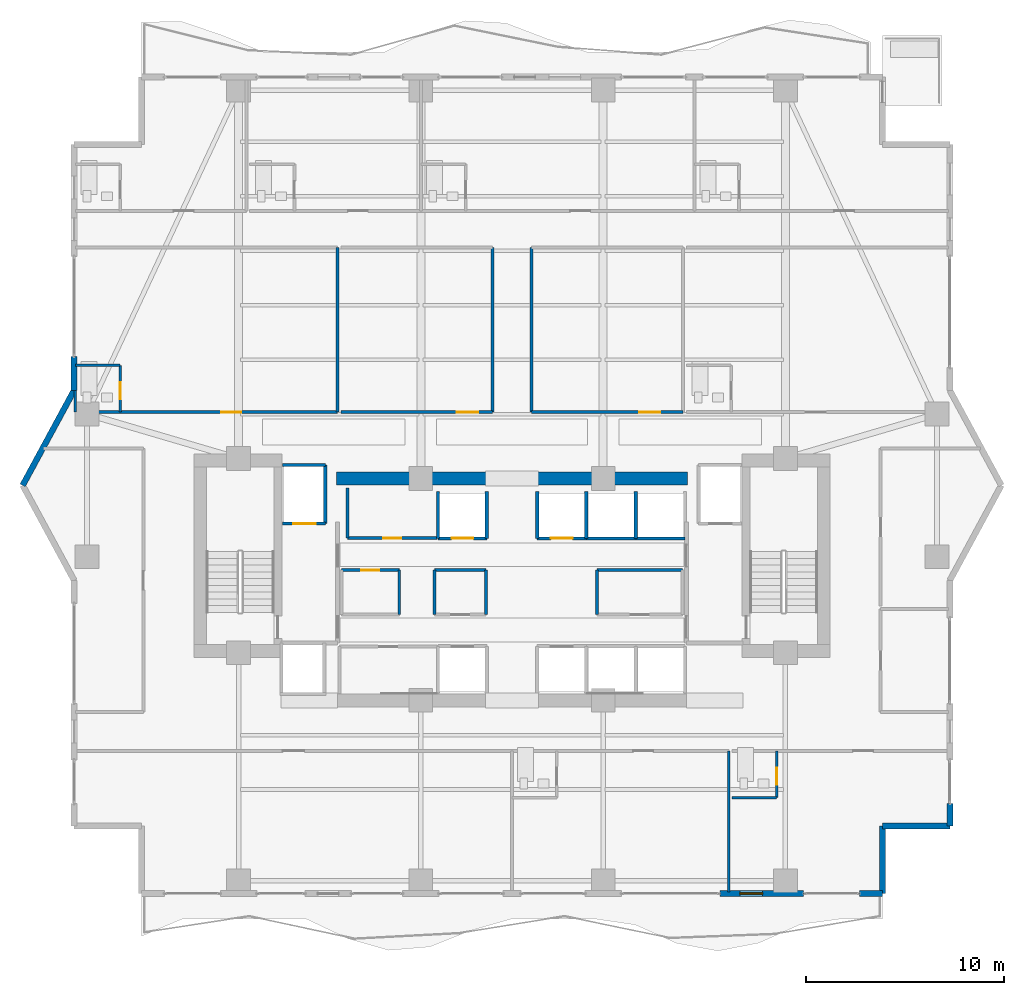
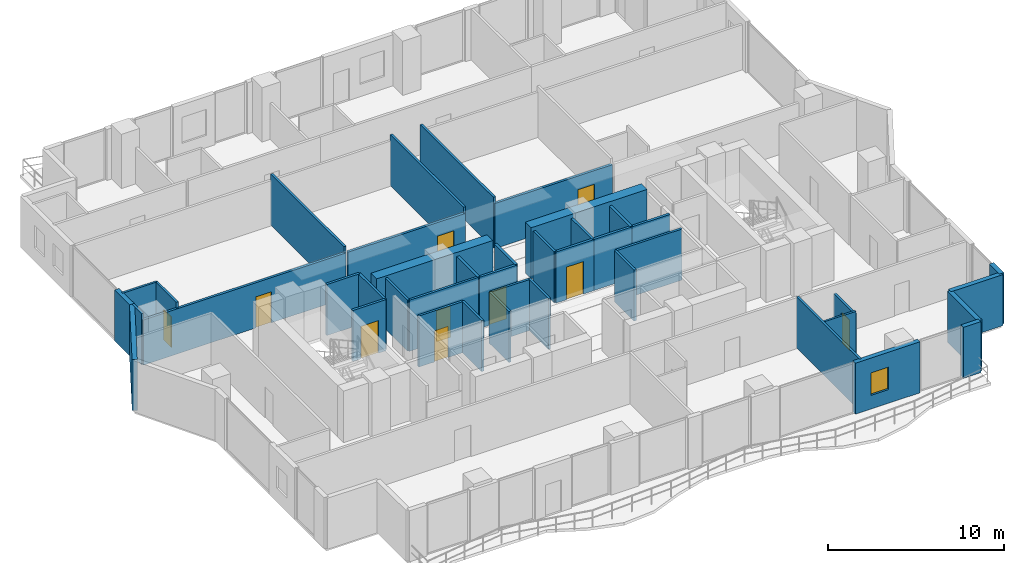
# One storey, part 26 of 33: 42 walls, 10 doors, 1 window, 11 openings.
"""IFC4 building model written with IfcOpenShell, lengths in metres."""

from ifc_helpers import new_model, si_unit, direction, frame, frame_2d, origin, place, context, subcontext, project, spatial, rectangle, extrude, material, layer, layer_set, type_object, element, fill, save


model = new_model("IFC4")

# Units and contexts
model_context = context("Model", 3, precision=1e-05, world=origin(), true_north=direction((0.0, 1.0)))
body_context = subcontext(model_context, "Body", "Model", "MODEL_VIEW")
ifc_project = project(units=[si_unit("LENGTHUNIT", "METRE"), si_unit("AREAUNIT", "SQUARE_METRE"), si_unit("VOLUMEUNIT", "CUBIC_METRE"), si_unit("PLANEANGLEUNIT", "RADIAN"), si_unit("MASSUNIT", "GRAM", prefix="KILO")], contexts=[model_context])

# Site, building, storey
site_placement = place(None, origin())
site = spatial("IfcSite", under=ifc_project, at=site_placement, CompositionType="ELEMENT")
building_placement = place(site_placement, origin())
building = spatial("IfcBuilding", under=site, at=building_placement, Name="Zuhayl Quay Hotel", CompositionType="ELEMENT")
storey_placement = place(building_placement, frame((0.0, 0.0, 211.14990234375)))
storey = spatial("IfcBuildingStorey", under=building, at=storey_placement, Name="L53", CompositionType="ELEMENT", Elevation=211.14990234375)

# Walls
ifc_material_1 = material(Name="Concrete C50/60", Category="concrete")
ifc_layer_1 = layer(ifc_material_1, 0.64990234375, Name="Concrete C50/60", Category="concrete")
ifc_layer_set_1 = layer_set([ifc_layer_1], Name="Concrete C50/60")
wall_type_1 = type_object("IfcWallType", Name="WL_CORE_650", PredefinedType="SHEAR", material=ifc_layer_set_1)
for number, where, z_axis, x_axis, name in (
    (1, (-8.85009765625, 13.35009765625, 0.0), (0.0, 0.0, 1.0), (1.0, 0.0, 0.0), "L53 Core Shear Wall CW_NC_W"),
    (2, (1.25, 13.35009765625, 0.0), (0.0, 0.0, 1.0), (1.0, 0.0, 0.0), "L53 Core Shear Wall CW_NC_E"),
):
    element("IfcWall", number, at=place(storey_placement, frame(where, z_axis=z_axis, x_axis=x_axis)), inside=storey, type_object=wall_type_1, Name=name, PredefinedType="SHEAR", context=body_context, shape_type="SweptSolid", body=[
        extrude(rectangle(XDim=7.60009765625, YDim=0.64990234375, at=frame_2d((3.800048828125, 0.0))), origin(), (0.0, 0.0, 1.0), 3.530029296875),
    ])
ifc_material_2 = material(Name="Precast concrete C45/55", Category="concrete")
ifc_layer_2 = layer(ifc_material_2, 0.300048828125, Name="Precast concrete C45/55", Category="concrete")
ifc_layer_set_2 = layer_set([ifc_layer_2], Name="Precast concrete C45/55")
wall_type_2 = type_object("IfcWallType", Name="WL_EXT_300", PredefinedType="STANDARD", material=ifc_layer_set_2)
wall_1_placement = place(storey_placement, frame((-24.699951171875, 13.0, 0.0), z_axis=(0.0, 0.0, 1.0), x_axis=(0.476258655584, 0.879305233114, 0.0)))
element("IfcWall", 3, at=wall_1_placement, inside=storey, type_object=wall_type_2, Name="L53 Exterior Precast Wall ENV_L53_EW04", PredefinedType="STANDARD", context=body_context, shape_type="SweptSolid", body=[
    extrude(rectangle(XDim=5.458984375, YDim=0.300048828125, at=frame_2d((2.7294921875, 0.0))), origin(), (0.0, 0.0, 1.0), 3.530029296875),
])
wall_2_placement = place(storey_placement, frame((-22.10009765625, 17.800048828125, 0.0), z_axis=(0.0, 0.0, 1.0), x_axis=(0.0, 1.0, 0.0)))
element("IfcWall", 4, at=wall_2_placement, inside=storey, type_object=wall_type_2, Name="L53 Exterior Precast Wall ENV_L53_E05_EW1", PredefinedType="STANDARD", context=body_context, shape_type="SweptSolid", body=[
    extrude(rectangle(XDim=1.7099609375, YDim=0.300048828125, at=frame_2d((0.85498046875, 0.0))), origin(), (0.0, 0.0, 1.0), 3.530029296875),
])
wall_3_placement = place(storey_placement, frame((22.10009765625, -3.050048828125, 0.0), z_axis=(0.0, 0.0, 1.0), x_axis=(0.0, -1.0, 0.0)))
element("IfcWall", 5, at=wall_3_placement, inside=storey, type_object=wall_type_2, Name="L53 Exterior Precast Wall ENV_L53_E14_EW3", PredefinedType="STANDARD", context=body_context, shape_type="SweptSolid", body=[
    extrude(rectangle(XDim=1.14990234375, YDim=0.300048828125, at=frame_2d((0.574951171875, 0.0))), origin(), (0.0, 0.0, 1.0), 3.530029296875),
])
for number, where, z_axis, x_axis, name in (
    (6, (22.10009765625, -4.199951171875, 0.0), (0.0, 0.0, 1.0), (-1.0, 0.0, 0.0), "L53 Exterior Precast Wall ENV_L53_EW15"),
    (7, (18.699951171875, -4.199951171875, 0.0), (0.0, 0.0, 1.0), (0.0, -1.0, 0.0), "L53 Exterior Precast Wall ENV_L53_EW16"),
):
    element("IfcWall", number, at=place(storey_placement, frame(where, z_axis=z_axis, x_axis=x_axis)), inside=storey, type_object=wall_type_2, Name=name, PredefinedType="STANDARD", context=body_context, shape_type="SweptSolid", body=[
        extrude(rectangle(XDim=3.400146484375, YDim=0.300048828125, at=frame_2d((1.7001953125, 0.0))), origin(), (0.0, 0.0, 1.0), 3.530029296875),
    ])
wall_4_placement = place(storey_placement, frame((18.699951171875, -7.60009765625, 0.0), z_axis=(0.0, 0.0, 1.0), x_axis=(-1.0, 0.0, 0.0)))
element("IfcWall", 8, at=wall_4_placement, inside=storey, type_object=wall_type_2, Name="L53 Exterior Precast Wall ENV_L53_S_EW1", PredefinedType="STANDARD", context=body_context, shape_type="SweptSolid", body=[
    extrude(rectangle(XDim=1.14990234375, YDim=0.300048828125, at=frame_2d((0.574951171875, 0.0))), origin(), (0.0, 0.0, 1.0), 3.530029296875),
])

# Wall, opening, window
wall_5_placement = place(storey_placement, frame((14.719970703125, -7.60009765625, 0.0), z_axis=(0.0, 0.0, 1.0), x_axis=(-1.0, 0.0, 0.0)))
wall_5 = element("IfcWall", 9, at=wall_5_placement, inside=storey, type_object=wall_type_2, Name="L53 Exterior Precast Wall ENV_L53_S_EW2", PredefinedType="STANDARD", context=body_context, shape_type="SweptSolid", body=[
    extrude(rectangle(XDim=4.22998046875, YDim=0.300048828125, at=frame_2d((2.114990234375, 0.0))), origin(), (0.0, 0.0, 1.0), 3.530029296875),
])
opening_1_placement = place(wall_5_placement, frame((2.06494140625, 0.0, 0.949951171875)))
opening_1 = element("IfcOpeningElement", 10, at=opening_1_placement, cuts=wall_5, Name="Opening W01N", PredefinedType="OPENING", context=body_context, shape_type="SweptSolid", body=[
    extrude(rectangle(XDim=1.14990234375, YDim=1.550048828125, at=frame_2d((0.574951171875, 0.77490234375))), frame((0.0, 0.159912109375, 0.0), z_axis=(0.0, -1.0, 0.0), x_axis=(1.0, 0.0, 0.0)), (0.0, 0.0, 1.0), 0.320068359375),
])
ifc_material_3 = material(Name="Dark Ceramic-Fritted Solar Glass", Category="glass")
window_type = type_object("IfcWindowType", Name="WN_NOTCH_1350", PartitioningType="SINGLE_PANEL", PredefinedType="WINDOW", material=ifc_material_3)
window_placement = place(opening_1_placement, origin())
window = element("IfcWindow", 11, at=window_placement, inside=storey, type_object=window_type, Name="L53 Operable Facade Window 2-1", OverallHeight=1.550048828125, OverallWidth=1.14990234375, PartitioningType="SINGLE_PANEL", PredefinedType="WINDOW", context=body_context, shape_type="SweptSolid", body=[
    extrude(rectangle(XDim=1.14990234375, YDim=1.550048828125, at=frame_2d((0.574951171875, 0.77490234375))), frame((0.0, 0.030029296875, 0.0), z_axis=(0.0, -1.0, 0.0), x_axis=(1.0, 0.0, 0.0)), (0.0, 0.0, 1.0), 0.06005859375),
])
fill(opening_1, window)

# Wall, opening, door
ifc_material_4 = material(Name="Acoustic Gypsum Partition STC-58")
ifc_layer_3 = layer(ifc_material_4, 0.14990234375, Name="Acoustic Gypsum Partition STC-58")
ifc_layer_set_3 = layer_set([ifc_layer_3], Name="Acoustic Gypsum Partition STC-58")
wall_type_3 = type_object("IfcWallType", Name="WL_PART_150", PredefinedType="PARTITIONING", material=ifc_layer_set_3)
wall_6_placement = place(storey_placement, frame((-8.31005859375, 10.340087890625, 0.0), z_axis=(0.0, 0.0, 1.0), x_axis=(1.0, 0.0, 0.0)))
wall_6 = element("IfcWall", 12, at=wall_6_placement, inside=storey, type_object=wall_type_3, Name="L53 Partition IW_L53_FLP_N_S", PredefinedType="PARTITIONING", context=body_context, shape_type="SweptSolid", body=[
    extrude(rectangle(XDim=4.52001953125, YDim=0.14990234375, at=frame_2d((2.260009765625, 0.0))), origin(), (0.0, 0.0, 1.0), 3.530029296875),
])
opening_2_placement = place(wall_6_placement, frame((1.81005859375, 0.0, 0.0)))
opening_2 = element("IfcOpeningElement", 13, at=opening_2_placement, cuts=wall_6, Name="Opening D06", PredefinedType="OPENING", context=body_context, shape_type="SweptSolid", body=[
    extrude(rectangle(XDim=0.89990234375, YDim=2.14990234375, at=frame_2d((0.449951171875, 1.074951171875))), frame((0.0, 0.0849609375, 0.0), z_axis=(0.0, -1.0, 0.0), x_axis=(1.0, 0.0, 0.0)), (0.0, 0.0, 1.0), 0.169921875),
])
ifc_material_5 = material(Name="Steel ASTM A992 Grade 50", Category="steel")
door_type_1 = type_object("IfcDoorType", Name="DR_INT_900", OperationType="NOTDEFINED", PredefinedType="DOOR", material=ifc_material_5)
door_1_placement = place(opening_2_placement, origin())
door_1 = element("IfcDoor", 14, at=door_1_placement, inside=storey, type_object=door_type_1, Name="L53 Valet Linen Store Door", OperationType="SINGLE_SWING_RIGHT", OverallHeight=2.14990234375, OverallWidth=0.89990234375, PredefinedType="DOOR", context=body_context, shape_type="SweptSolid", body=[
    extrude(rectangle(XDim=0.89990234375, YDim=2.14990234375, at=frame_2d((0.449951171875, 1.074951171875))), frame((0.0, 0.02490234375, 0.0), z_axis=(0.0, -1.0, 0.0), x_axis=(1.0, 0.0, 0.0)), (0.0, 0.0, 1.0), 0.050048828125),
])
fill(opening_2, door_1)

wall_7_placement = place(storey_placement, frame((-8.610107421875, 8.719970703125, 0.0), z_axis=(0.0, 0.0, 1.0), x_axis=(1.0, 0.0, 0.0)))
wall_7 = element("IfcWall", 15, at=wall_7_placement, inside=storey, type_object=wall_type_3, Name="L53 Partition IW_L53_CORE_HK_N", PredefinedType="PARTITIONING", context=body_context, shape_type="SweptSolid", body=[
    extrude(rectangle(XDim=2.920166015625, YDim=0.14990234375, at=frame_2d((1.4599609375, 0.0))), origin(), (0.0, 0.0, 1.0), 3.530029296875),
])
opening_3_placement = place(wall_7_placement, frame((1.010009765625, 0.0, 0.0)))
opening_3 = element("IfcOpeningElement", 16, at=opening_3_placement, cuts=wall_7, Name="Opening D06", PredefinedType="OPENING", context=body_context, shape_type="SweptSolid", body=[
    extrude(rectangle(XDim=0.89990234375, YDim=2.14990234375, at=frame_2d((0.449951171875, 1.074951171875))), frame((0.0, 0.0849609375, 0.0), z_axis=(0.0, -1.0, 0.0), x_axis=(1.0, 0.0, 0.0)), (0.0, 0.0, 1.0), 0.169921875),
])
door_2_placement = place(opening_3_placement, origin())
door_2 = element("IfcDoor", 17, at=door_2_placement, inside=storey, type_object=door_type_1, Name="L53 Core Housekeeping Store Door", OperationType="SINGLE_SWING_LEFT", OverallHeight=2.14990234375, OverallWidth=0.89990234375, PredefinedType="DOOR", context=body_context, shape_type="SweptSolid", body=[
    extrude(rectangle(XDim=0.89990234375, YDim=2.14990234375, at=frame_2d((0.449951171875, 1.074951171875))), frame((0.0, 0.02490234375, 0.0), z_axis=(0.0, -1.0, 0.0), x_axis=(1.0, 0.0, 0.0)), (0.0, 0.0, 1.0), 0.050048828125),
])
fill(opening_3, door_2)

# Walls
wall_8_placement = place(storey_placement, frame((-8.31005859375, 10.340087890625, 0.0), z_axis=(0.0, 0.0, 1.0), x_axis=(0.0, 1.0, 0.0)))
element("IfcWall", 18, at=wall_8_placement, inside=storey, type_object=wall_type_3, Name="L53 Partition IW_L53_FLP_N_W", PredefinedType="PARTITIONING", context=body_context, shape_type="SweptSolid", body=[
    extrude(rectangle(XDim=2.52001953125, YDim=0.14990234375, at=frame_2d((1.260009765625, 0.0))), origin(), (0.0, 0.0, 1.0), 3.530029296875),
])
wall_9_placement = place(storey_placement, frame((-5.68994140625, 6.47998046875, 0.0), z_axis=(0.0, 0.0, 1.0), x_axis=(0.0, 1.0, 0.0)))
element("IfcWall", 19, at=wall_9_placement, inside=storey, type_object=wall_type_3, Name="L53 Partition IW_L53_CORE_HK_E", PredefinedType="PARTITIONING", context=body_context, shape_type="SweptSolid", body=[
    extrude(rectangle(XDim=2.239990234375, YDim=0.14990234375, at=frame_2d((1.1201171875, 0.0))), origin(), (0.0, 0.0, 1.0), 3.530029296875),
])
wall_10_placement = place(storey_placement, frame((-3.909912109375, 8.719970703125, 0.0), z_axis=(0.0, 0.0, 1.0), x_axis=(1.0, 0.0, 0.0)))
element("IfcWall", 20, at=wall_10_placement, inside=storey, type_object=wall_type_3, Name="L53 Partition IW_L53_CORE_BC_N", PredefinedType="PARTITIONING", context=body_context, shape_type="SweptSolid", body=[
    extrude(rectangle(XDim=2.58984375, YDim=0.14990234375, at=frame_2d((1.294921875, 0.0))), origin(), (0.0, 0.0, 1.0), 3.530029296875),
])
for number, where, z_axis, x_axis, name in (
    (21, (-3.909912109375, 6.47998046875, 0.0), (0.0, 0.0, 1.0), (0.0, 1.0, 0.0), "L53 Partition IW_L53_CORE_BC_W"),
    (22, (-1.320068359375, 6.47998046875, 0.0), (0.0, 0.0, 1.0), (0.0, 1.0, 0.0), "L53 Partition IW_L53_CORE_BC_E"),
):
    element("IfcWall", number, at=place(storey_placement, frame(where, z_axis=z_axis, x_axis=x_axis)), inside=storey, type_object=wall_type_3, Name=name, PredefinedType="PARTITIONING", context=body_context, shape_type="SweptSolid", body=[
        extrude(rectangle(XDim=2.239990234375, YDim=0.14990234375, at=frame_2d((1.1201171875, 0.0))), origin(), (0.0, 0.0, 1.0), 3.530029296875),
    ])
wall_11_placement = place(storey_placement, frame((4.2900390625, 8.719970703125, 0.0), z_axis=(0.0, 0.0, 1.0), x_axis=(1.0, 0.0, 0.0)))
element("IfcWall", 23, at=wall_11_placement, inside=storey, type_object=wall_type_3, Name="L53 Partition IW_L53_CORE_VL_N", PredefinedType="PARTITIONING", context=body_context, shape_type="SweptSolid", body=[
    extrude(rectangle(XDim=4.320068359375, YDim=0.14990234375, at=frame_2d((2.16015625, 0.0))), origin(), (0.0, 0.0, 1.0), 3.530029296875),
])
wall_12_placement = place(storey_placement, frame((4.2900390625, 6.47998046875, 0.0), z_axis=(0.0, 0.0, 1.0), x_axis=(0.0, 1.0, 0.0)))
element("IfcWall", 24, at=wall_12_placement, inside=storey, type_object=wall_type_3, Name="L53 Partition IW_L53_CORE_VL_W", PredefinedType="PARTITIONING", context=body_context, shape_type="SweptSolid", body=[
    extrude(rectangle(XDim=2.239990234375, YDim=0.14990234375, at=frame_2d((1.1201171875, 0.0))), origin(), (0.0, 0.0, 1.0), 3.530029296875),
])
for number, where, z_axis, x_axis, name in (
    (25, (-8.800048828125, 16.699951171875, 0.0), (0.0, 0.0, 1.0), (0.0, 1.0, 0.0), "L53 Partition IW_L53_MU01_E"),
    (26, (-0.97998046875, 16.699951171875, 0.0), (0.0, 0.0, 1.0), (0.0, 1.0, 0.0), "L53 Partition IW_L53_Z3_MID_W_E"),
    (27, (0.97998046875, 16.699951171875, 0.0), (0.0, 0.0, 1.0), (0.0, 1.0, 0.0), "L53 Partition IW_L53_Z3_MID_E_W"),
):
    element("IfcWall", number, at=place(storey_placement, frame(where, z_axis=z_axis, x_axis=x_axis)), inside=storey, type_object=wall_type_3, Name=name, PredefinedType="PARTITIONING", context=body_context, shape_type="SweptSolid", body=[
        extrude(rectangle(XDim=8.300048828125, YDim=0.14990234375, at=frame_2d((4.14990234375, 0.0))), origin(), (0.0, 0.0, 1.0), 3.530029296875),
    ])
wall_13_placement = place(storey_placement, frame((10.93994140625, -7.52001953125, 0.0), z_axis=(0.0, 0.0, 1.0), x_axis=(0.0, 1.0, 0.0)))
element("IfcWall", 28, at=wall_13_placement, inside=storey, type_object=wall_type_3, Name="L53 Partition IW_L53_SU02A_E", PredefinedType="PARTITIONING", context=body_context, shape_type="SweptSolid", body=[
    extrude(rectangle(XDim=7.1201171875, YDim=0.14990234375, at=frame_2d((3.56005859375, 0.0))), origin(), (0.0, 0.0, 1.0), 3.530029296875),
])

# Wall, opening, door
ifc_layer_4 = layer(ifc_material_4, 0.159912109375, Name="Acoustic Gypsum Partition STC-58")
ifc_layer_set_4 = layer_set([ifc_layer_4], Name="Acoustic Gypsum Partition STC-58")
wall_type_4 = type_object("IfcWallType", Name="WL_PART_CORR_160", PredefinedType="PARTITIONING", material=ifc_layer_set_4)
wall_14_placement = place(storey_placement, frame((-22.0400390625, 16.699951171875, 0.0), z_axis=(0.0, 0.0, 1.0), x_axis=(1.0, 0.0, 0.0)))
wall_14 = element("IfcWall", 29, at=wall_14_placement, inside=storey, type_object=wall_type_4, Name="L53 Partition IW_L53_MU01_COR", PredefinedType="PARTITIONING", context=body_context, shape_type="SweptSolid", body=[
    extrude(rectangle(XDim=13.239990234375, YDim=0.159912109375, at=frame_2d((6.6201171875, 0.0))), origin(), (0.0, 0.0, 1.0), 3.1240234375),
])
opening_4_placement = place(wall_14_placement, frame((7.364990234375, 0.0, 0.0)))
opening_4 = element("IfcOpeningElement", 30, at=opening_4_placement, cuts=wall_14, Name="Opening D03L", PredefinedType="OPENING", context=body_context, shape_type="SweptSolid", body=[
    extrude(rectangle(XDim=1.0, YDim=2.14990234375, at=frame_2d((0.5, 1.074951171875))), frame((0.0, 0.08984375, 0.0), z_axis=(0.0, -1.0, 0.0), x_axis=(1.0, 0.0, 0.0)), (0.0, 0.0, 1.0), 0.179931640625),
])
ifc_material_6 = material(Name="Solid Walnut Acoustic Fire Door")
door_type_2 = type_object("IfcDoorType", Name="DR_SUITE_1000", OperationType="NOTDEFINED", PredefinedType="DOOR", material=ifc_material_6)
door_3_placement = place(opening_4_placement, origin())
door_3 = element("IfcDoor", 31, at=door_3_placement, inside=storey, type_object=door_type_2, Name="L53 Club Junior Suite L53-M1 Entrance Door", OperationType="SINGLE_SWING_LEFT", OverallHeight=2.14990234375, OverallWidth=1.0, PredefinedType="DOOR", context=body_context, shape_type="SweptSolid", body=[
    extrude(rectangle(XDim=1.0, YDim=2.14990234375, at=frame_2d((0.5, 1.074951171875))), frame((0.0, 0.02490234375, 0.0), z_axis=(0.0, -1.0, 0.0), x_axis=(1.0, 0.0, 0.0)), (0.0, 0.0, 1.0), 0.050048828125),
])
fill(opening_4, door_3)

wall_15_placement = place(storey_placement, frame((-8.639892578125, 16.699951171875, 0.0), z_axis=(0.0, 0.0, 1.0), x_axis=(1.0, 0.0, 0.0)))
wall_15 = element("IfcWall", 32, at=wall_15_placement, inside=storey, type_object=wall_type_4, Name="L53 Partition IW_L53_Z3_MID_W_S", PredefinedType="PARTITIONING", context=body_context, shape_type="SweptSolid", body=[
    extrude(rectangle(XDim=7.659912109375, YDim=0.159912109375, at=frame_2d((3.830078125, 0.0))), origin(), (0.0, 0.0, 1.0), 3.1240234375),
])
opening_5_placement = place(wall_15_placement, frame((5.85009765625, 0.0, 0.0)))
opening_5 = element("IfcOpeningElement", 33, at=opening_5_placement, cuts=wall_15, Name="Opening D05A", PredefinedType="OPENING", context=body_context, shape_type="SweptSolid", body=[
    extrude(rectangle(XDim=1.080078125, YDim=2.179931640625, at=frame_2d((0.5400390625, 1.08984375))), frame((0.0, 0.08984375, 0.0), z_axis=(0.0, -1.0, 0.0), x_axis=(1.0, 0.0, 0.0)), (0.0, 0.0, 1.0), 0.179931640625),
])
door_type_3 = type_object("IfcDoorType", Name="DR_INT_1100", OperationType="NOTDEFINED", PredefinedType="DOOR", material=ifc_material_6)
door_4_placement = place(opening_5_placement, origin())
door_4 = element("IfcDoor", 34, at=door_4_placement, inside=storey, type_object=door_type_3, Name="L53 Curated Art Library Door", OperationType="SINGLE_SWING_RIGHT", OverallHeight=2.179931640625, OverallWidth=1.080078125, PredefinedType="DOOR", context=body_context, shape_type="SweptSolid", body=[
    extrude(rectangle(XDim=1.080078125, YDim=2.179931640625, at=frame_2d((0.5400390625, 1.08984375))), frame((0.0, 0.02490234375, 0.0), z_axis=(0.0, -1.0, 0.0), x_axis=(1.0, 0.0, 0.0)), (0.0, 0.0, 1.0), 0.050048828125),
])
fill(opening_5, door_4)

wall_16_placement = place(storey_placement, frame((0.97998046875, 16.699951171875, 0.0), z_axis=(0.0, 0.0, 1.0), x_axis=(1.0, 0.0, 0.0)))
wall_16 = element("IfcWall", 35, at=wall_16_placement, inside=storey, type_object=wall_type_4, Name="L53 Partition IW_L53_Z3_MID_E_S", PredefinedType="PARTITIONING", context=body_context, shape_type="SweptSolid", body=[
    extrude(rectangle(XDim=7.659912109375, YDim=0.159912109375, at=frame_2d((3.830078125, 0.0))), origin(), (0.0, 0.0, 1.0), 3.1240234375),
])
opening_6_placement = place(wall_16_placement, frame((5.429931640625, 0.0, 0.0)))
opening_6 = element("IfcOpeningElement", 36, at=opening_6_placement, cuts=wall_16, Name="Opening D05A", PredefinedType="OPENING", context=body_context, shape_type="SweptSolid", body=[
    extrude(rectangle(XDim=1.080078125, YDim=2.179931640625, at=frame_2d((0.5400390625, 1.08984375))), frame((0.0, 0.08984375, 0.0), z_axis=(0.0, -1.0, 0.0), x_axis=(1.0, 0.0, 0.0)), (0.0, 0.0, 1.0), 0.179931640625),
])
door_5_placement = place(opening_6_placement, origin())
door_5 = element("IfcDoor", 37, at=door_5_placement, inside=storey, type_object=door_type_3, Name="L53 Horizon Screening Salon Door", OperationType="SINGLE_SWING_LEFT", OverallHeight=2.179931640625, OverallWidth=1.080078125, PredefinedType="DOOR", context=body_context, shape_type="SweptSolid", body=[
    extrude(rectangle(XDim=1.080078125, YDim=2.179931640625, at=frame_2d((0.5400390625, 1.08984375))), frame((0.0, 0.02490234375, 0.0), z_axis=(0.0, -1.0, 0.0), x_axis=(1.0, 0.0, 0.0)), (0.0, 0.0, 1.0), 0.050048828125),
])
fill(opening_6, door_5)

ifc_material_7 = material(Name="Moisture-Resistant Sanitarychase Gypsum")
ifc_layer_5 = layer(ifc_material_7, 0.135009765625, Name="Moisture-Resistant Sanitarychase Gypsum")
ifc_layer_set_5 = layer_set([ifc_layer_5], Name="Moisture-Resistant Sanitarychase Gypsum")
wall_type_5 = type_object("IfcWallType", Name="WL_PART_PLUMB_150", PredefinedType="PLUMBINGWALL", material=ifc_layer_set_5)
wall_17_placement = place(storey_placement, frame((-19.780029296875, 16.699951171875, 0.0), z_axis=(0.0, 0.0, 1.0), x_axis=(0.0, 1.0, 0.0)))
wall_17 = element("IfcWall", 38, at=wall_17_placement, inside=storey, type_object=wall_type_5, Name="L53 Partition IW_L53_MU01_BE", PredefinedType="PLUMBINGWALL", context=body_context, shape_type="SweptSolid", body=[
    extrude(rectangle(XDim=2.360107421875, YDim=0.135009765625, at=frame_2d((1.18017578125, 0.0))), origin(), (0.0, 0.0, 1.0), 3.530029296875),
])
opening_7_placement = place(wall_17_placement, frame((0.64990234375, 0.0, 0.0)))
opening_7 = element("IfcOpeningElement", 39, at=opening_7_placement, cuts=wall_17, Name="Opening D04", PredefinedType="OPENING", context=body_context, shape_type="SweptSolid", body=[
    extrude(rectangle(XDim=0.85009765625, YDim=2.10009765625, at=frame_2d((0.425048828125, 1.050048828125))), frame((0.0, 0.077392578125, 0.0), z_axis=(0.0, -1.0, 0.0), x_axis=(1.0, 0.0, 0.0)), (0.0, 0.0, 1.0), 0.155029296875),
])
ifc_material_8 = material(Name="Moisture-Resistant Walnut Veneer")
door_type_4 = type_object("IfcDoorType", Name="DR_BATH_850", OperationType="NOTDEFINED", PredefinedType="DOOR", material=ifc_material_8)
door_6_placement = place(opening_7_placement, origin())
door_6 = element("IfcDoor", 40, at=door_6_placement, inside=storey, type_object=door_type_4, Name="L53 Club Junior Suite L53-M1 En-Suite Door", OperationType="SINGLE_SWING_RIGHT", OverallHeight=2.10009765625, OverallWidth=0.85009765625, PredefinedType="DOOR", context=body_context, shape_type="SweptSolid", body=[
    extrude(rectangle(XDim=0.85009765625, YDim=2.10009765625, at=frame_2d((0.425048828125, 1.050048828125))), frame((0.0, 0.02490234375, 0.0), z_axis=(0.0, -1.0, 0.0), x_axis=(1.0, 0.0, 0.0)), (0.0, 0.0, 1.0), 0.050048828125),
])
fill(opening_7, door_6)

wall_18_placement = place(storey_placement, frame((13.360107421875, -2.760009765625, 0.0), z_axis=(0.0, 0.0, 1.0), x_axis=(0.0, 1.0, 0.0)))
wall_18 = element("IfcWall", 41, at=wall_18_placement, inside=storey, type_object=wall_type_5, Name="L53 Partition IW_L53_SU02B_BE", PredefinedType="PLUMBINGWALL", context=body_context, shape_type="SweptSolid", body=[
    extrude(rectangle(XDim=2.360107421875, YDim=0.135009765625, at=frame_2d((1.18017578125, 0.0))), origin(), (0.0, 0.0, 1.0), 2.923095703125),
])
opening_8_placement = place(wall_18_placement, frame((0.64990234375, 0.0, 0.0)))
opening_8 = element("IfcOpeningElement", 42, at=opening_8_placement, cuts=wall_18, Name="Opening D04", PredefinedType="OPENING", context=body_context, shape_type="SweptSolid", body=[
    extrude(rectangle(XDim=0.85009765625, YDim=2.10009765625, at=frame_2d((0.425048828125, 1.050048828125))), frame((0.0, 0.077392578125, 0.0), z_axis=(0.0, -1.0, 0.0), x_axis=(1.0, 0.0, 0.0)), (0.0, 0.0, 1.0), 0.155029296875),
])
door_7_placement = place(opening_8_placement, origin())
door_7 = element("IfcDoor", 43, at=door_7_placement, inside=storey, type_object=door_type_4, Name="L53 City-View Junior Suite L53-02B En-Suite Door", OperationType="SINGLE_SWING_LEFT", OverallHeight=2.10009765625, OverallWidth=0.85009765625, PredefinedType="DOOR", context=body_context, shape_type="SweptSolid", body=[
    extrude(rectangle(XDim=0.85009765625, YDim=2.10009765625, at=frame_2d((0.425048828125, 1.050048828125))), frame((0.0, 0.02490234375, 0.0), z_axis=(0.0, -1.0, 0.0), x_axis=(1.0, 0.0, 0.0)), (0.0, 0.0, 1.0), 0.050048828125),
])
fill(opening_8, door_7)

# Walls
wall_19_placement = place(storey_placement, frame((-22.0400390625, 19.06005859375, 0.0), z_axis=(0.0, 0.0, 1.0), x_axis=(1.0, 0.0, 0.0)))
element("IfcWall", 44, at=wall_19_placement, inside=storey, type_object=wall_type_5, Name="L53 Partition IW_L53_MU01_BN", PredefinedType="PLUMBINGWALL", context=body_context, shape_type="SweptSolid", body=[
    extrude(rectangle(XDim=2.260009765625, YDim=0.135009765625, at=frame_2d((1.1298828125, 0.0))), origin(), (0.0, 0.0, 1.0), 3.530029296875),
])
wall_20_placement = place(storey_placement, frame((-22.0400390625, 16.699951171875, 0.0), z_axis=(0.0, 0.0, 1.0), x_axis=(0.0, 1.0, 0.0)))
element("IfcWall", 45, at=wall_20_placement, inside=storey, type_object=wall_type_5, Name="L53 Partition IW_L53_MU01_BW", PredefinedType="PLUMBINGWALL", context=body_context, shape_type="SweptSolid", body=[
    extrude(rectangle(XDim=1.10009765625, YDim=0.135009765625, at=frame_2d((0.550048828125, 0.0))), origin(), (0.0, 0.0, 1.0), 3.530029296875),
])
wall_21_placement = place(storey_placement, frame((11.10009765625, -2.760009765625, 0.0), z_axis=(0.0, 0.0, 1.0), x_axis=(1.0, 0.0, 0.0)))
element("IfcWall", 46, at=wall_21_placement, inside=storey, type_object=wall_type_5, Name="L53 Partition IW_L53_SU02B_BS", PredefinedType="PLUMBINGWALL", context=body_context, shape_type="SweptSolid", body=[
    extrude(rectangle(XDim=2.260009765625, YDim=0.135009765625, at=frame_2d((1.1298828125, 0.0))), origin(), (0.0, 0.0, 1.0), 3.1240234375),
])

# Wall, opening, door
ifc_material_9 = material(Name="Gypsum Fireboard Assembly EI-90")
ifc_layer_6 = layer(ifc_material_9, 0.1650390625, Name="Gypsum Fireboard Assembly EI-90")
ifc_layer_set_6 = layer_set([ifc_layer_6], Name="Gypsum Fireboard Assembly EI-90")
wall_type_6 = type_object("IfcWallType", Name="WL_PART_SHAFT_160", PredefinedType="PARTITIONING", material=ifc_layer_set_6)
wall_22_placement = place(storey_placement, frame((-11.580078125, 11.070068359375, 0.0), z_axis=(0.0, 0.0, 1.0), x_axis=(1.0, 0.0, 0.0)))
wall_22 = element("IfcWall", 47, at=wall_22_placement, inside=storey, type_object=wall_type_6, Name="L53 Partition IW_L53_SH_FL1_F", PredefinedType="PARTITIONING", context=body_context, shape_type="SweptSolid", body=[
    extrude(rectangle(XDim=2.16015625, YDim=0.1650390625, at=frame_2d((1.080078125, 0.0))), origin(), (0.0, 0.0, 1.0), 3.530029296875),
])
opening_9_placement = place(wall_22_placement, frame((0.530029296875, 0.0, 0.0)))
opening_9 = element("IfcOpeningElement", 48, at=opening_9_placement, cuts=wall_22, Name="Opening LD2", PredefinedType="OPENING", context=body_context, shape_type="SweptSolid", body=[
    extrude(rectangle(XDim=1.14990234375, YDim=2.25, at=frame_2d((0.574951171875, 1.125))), frame((0.0, 0.092529296875, 0.0), z_axis=(0.0, -1.0, 0.0), x_axis=(1.0, 0.0, 0.0)), (0.0, 0.0, 1.0), 0.18505859375),
])
ifc_material_10 = material(Name="Brushed Stainless Steel", Category="steel")
door_type_5 = type_object("IfcDoorType", Name="DR_LIFT_FF_1100", OperationType="SLIDING_TO_LEFT", PredefinedType="DOOR", material=ifc_material_10)
door_8_placement = place(opening_9_placement, origin())
door_8 = element("IfcDoor", 49, at=door_8_placement, inside=storey, type_object=door_type_5, Name="L53 Lift FL1 Sliding Landing Door", OperationType="SLIDING_TO_LEFT", OverallHeight=2.25, OverallWidth=1.14990234375, PredefinedType="DOOR", context=body_context, shape_type="SweptSolid", body=[
    extrude(rectangle(XDim=1.14990234375, YDim=2.25, at=frame_2d((0.574951171875, 1.125))), frame((0.0, 0.02490234375, 0.0), z_axis=(0.0, -1.0, 0.0), x_axis=(1.0, 0.0, 0.0)), (0.0, 0.0, 1.0), 0.050048828125),
])
fill(opening_9, door_8)

wall_23_placement = place(storey_placement, frame((-3.72998046875, 10.320068359375, 0.0), z_axis=(0.0, 0.0, 1.0), x_axis=(1.0, 0.0, 0.0)))
wall_23 = element("IfcWall", 50, at=wall_23_placement, inside=storey, type_object=wall_type_6, Name="L53 Partition IW_L53_SH_MP3_F", PredefinedType="PARTITIONING", context=body_context, shape_type="SweptSolid", body=[
    extrude(rectangle(XDim=2.4599609375, YDim=0.1650390625, at=frame_2d((1.22998046875, 0.0))), origin(), (0.0, 0.0, 1.0), 3.530029296875),
])
opening_10_placement = place(wall_23_placement, frame((0.679931640625, 0.0, 0.0)))
opening_10 = element("IfcOpeningElement", 51, at=opening_10_placement, cuts=wall_23, Name="Opening LD1", PredefinedType="OPENING", context=body_context, shape_type="SweptSolid", body=[
    extrude(rectangle(XDim=1.10009765625, YDim=2.25, at=frame_2d((0.550048828125, 1.125))), frame((0.0, 0.092529296875, 0.0), z_axis=(0.0, -1.0, 0.0), x_axis=(1.0, 0.0, 0.0)), (0.0, 0.0, 1.0), 0.18505859375),
])
door_type_6 = type_object("IfcDoorType", Name="DR_LIFT_PASS_1100", OperationType="SLIDING_TO_LEFT", PredefinedType="DOOR", material=ifc_material_10)
door_9_placement = place(opening_10_placement, origin())
door_9 = element("IfcDoor", 52, at=door_9_placement, inside=storey, type_object=door_type_6, Name="L53 Lift MP3 Sliding Landing Door", OperationType="SLIDING_TO_LEFT", OverallHeight=2.25, OverallWidth=1.10009765625, PredefinedType="DOOR", context=body_context, shape_type="SweptSolid", body=[
    extrude(rectangle(XDim=1.10009765625, YDim=2.25, at=frame_2d((0.550048828125, 1.125))), frame((0.0, 0.02490234375, 0.0), z_axis=(0.0, -1.0, 0.0), x_axis=(1.0, 0.0, 0.0)), (0.0, 0.0, 1.0), 0.050048828125),
])
fill(opening_10, door_9)

wall_24_placement = place(storey_placement, frame((1.27001953125, 10.320068359375, 0.0), z_axis=(0.0, 0.0, 1.0), x_axis=(1.0, 0.0, 0.0)))
wall_24 = element("IfcWall", 53, at=wall_24_placement, inside=storey, type_object=wall_type_6, Name="L53 Partition IW_L53_SH_MP4_F", PredefinedType="PARTITIONING", context=body_context, shape_type="SweptSolid", body=[
    extrude(rectangle(XDim=2.47998046875, YDim=0.1650390625, at=frame_2d((1.239990234375, 0.0))), origin(), (0.0, 0.0, 1.0), 3.530029296875),
])
opening_11_placement = place(wall_24_placement, frame((0.68994140625, 0.0, 0.0)))
opening_11 = element("IfcOpeningElement", 54, at=opening_11_placement, cuts=wall_24, Name="Opening LD1", PredefinedType="OPENING", context=body_context, shape_type="SweptSolid", body=[
    extrude(rectangle(XDim=1.10009765625, YDim=2.25, at=frame_2d((0.550048828125, 1.125))), frame((0.0, 0.092529296875, 0.0), z_axis=(0.0, -1.0, 0.0), x_axis=(1.0, 0.0, 0.0)), (0.0, 0.0, 1.0), 0.18505859375),
])
door_10_placement = place(opening_11_placement, origin())
door_10 = element("IfcDoor", 55, at=door_10_placement, inside=storey, type_object=door_type_6, Name="L53 Lift MP4 Sliding Landing Door", OperationType="SLIDING_TO_LEFT", OverallHeight=2.25, OverallWidth=1.10009765625, PredefinedType="DOOR", context=body_context, shape_type="SweptSolid", body=[
    extrude(rectangle(XDim=1.10009765625, YDim=2.25, at=frame_2d((0.550048828125, 1.125))), frame((0.0, 0.02490234375, 0.0), z_axis=(0.0, -1.0, 0.0), x_axis=(1.0, 0.0, 0.0)), (0.0, 0.0, 1.0), 0.050048828125),
])
fill(opening_11, door_10)

# Walls
wall_25_placement = place(storey_placement, frame((-9.419921875, 11.070068359375, 0.0), z_axis=(0.0, 0.0, 1.0), x_axis=(0.0, 1.0, 0.0)))
element("IfcWall", 56, at=wall_25_placement, inside=storey, type_object=wall_type_6, Name="L53 Partition IW_L53_SH_FL1_E", PredefinedType="PARTITIONING", context=body_context, shape_type="SweptSolid", body=[
    extrude(rectangle(XDim=2.9599609375, YDim=0.1650390625, at=frame_2d((1.47998046875, 0.0))), origin(), (0.0, 0.0, 1.0), 3.530029296875),
])
wall_26_placement = place(storey_placement, frame((-11.580078125, 14.030029296875, 0.0), z_axis=(0.0, 0.0, 1.0), x_axis=(1.0, 0.0, 0.0)))
element("IfcWall", 57, at=wall_26_placement, inside=storey, type_object=wall_type_6, Name="L53 Partition IW_L53_SH_FL1_B", PredefinedType="PARTITIONING", context=body_context, shape_type="SweptSolid", body=[
    extrude(rectangle(XDim=2.16015625, YDim=0.1650390625, at=frame_2d((1.080078125, 0.0))), origin(), (0.0, 0.0, 1.0), 3.530029296875),
])
for number, where, z_axis, x_axis, name in (
    (58, (-3.72998046875, 10.320068359375, 0.0), (0.0, 0.0, 1.0), (0.0, 1.0, 0.0), "L53 Partition IW_L53_SH_MP3_W"),
    (59, (-1.27001953125, 10.320068359375, 0.0), (0.0, 0.0, 1.0), (0.0, 1.0, 0.0), "L53 Partition IW_L53_SH_MP3_E"),
    (60, (1.27001953125, 10.320068359375, 0.0), (0.0, 0.0, 1.0), (0.0, 1.0, 0.0), "L53 Partition IW_L53_SH_MP4_W"),
    (61, (3.75, 10.320068359375, 0.0), (0.0, 0.0, 1.0), (0.0, 1.0, 0.0), "L53 Partition IW_L53_SH_MP4_E"),
):
    element("IfcWall", number, at=place(storey_placement, frame(where, z_axis=z_axis, x_axis=x_axis)), inside=storey, type_object=wall_type_6, Name=name, PredefinedType="PARTITIONING", context=body_context, shape_type="SweptSolid", body=[
        extrude(rectangle(XDim=2.35986328125, YDim=0.1650390625, at=frame_2d((1.179931640625, 0.0))), origin(), (0.0, 0.0, 1.0), 3.530029296875),
    ])
wall_27_placement = place(storey_placement, frame((3.75, 10.320068359375, 0.0), z_axis=(0.0, 0.0, 1.0), x_axis=(1.0, 0.0, 0.0)))
element("IfcWall", 62, at=wall_27_placement, inside=storey, type_object=wall_type_6, Name="L53 Partition IW_L53_SH_HP3_F", PredefinedType="PARTITIONING", context=body_context, shape_type="SweptSolid", body=[
    extrude(rectangle(XDim=2.5, YDim=0.1650390625, at=frame_2d((1.25, 0.0))), origin(), (0.0, 0.0, 1.0), 3.530029296875),
])
wall_28_placement = place(storey_placement, frame((6.25, 10.320068359375, 0.0), z_axis=(0.0, 0.0, 1.0), x_axis=(0.0, 1.0, 0.0)))
element("IfcWall", 63, at=wall_28_placement, inside=storey, type_object=wall_type_6, Name="L53 Partition IW_L53_SH_HP3_E", PredefinedType="PARTITIONING", context=body_context, shape_type="SweptSolid", body=[
    extrude(rectangle(XDim=2.35986328125, YDim=0.1650390625, at=frame_2d((1.179931640625, 0.0))), origin(), (0.0, 0.0, 1.0), 3.530029296875),
])
wall_29_placement = place(storey_placement, frame((6.25, 10.320068359375, 0.0), z_axis=(0.0, 0.0, 1.0), x_axis=(1.0, 0.0, 0.0)))
element("IfcWall", 64, at=wall_29_placement, inside=storey, type_object=wall_type_6, Name="L53 Partition IW_L53_SH_HP4_F", PredefinedType="PARTITIONING", context=body_context, shape_type="SweptSolid", body=[
    extrude(rectangle(XDim=2.47998046875, YDim=0.1650390625, at=frame_2d((1.239990234375, 0.0))), origin(), (0.0, 0.0, 1.0), 3.530029296875),
])

save(model, "model.ifc")
